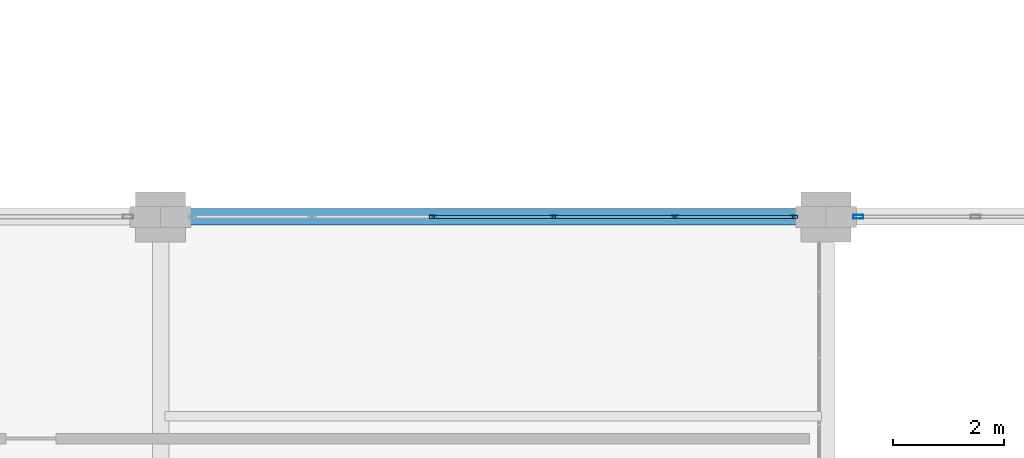
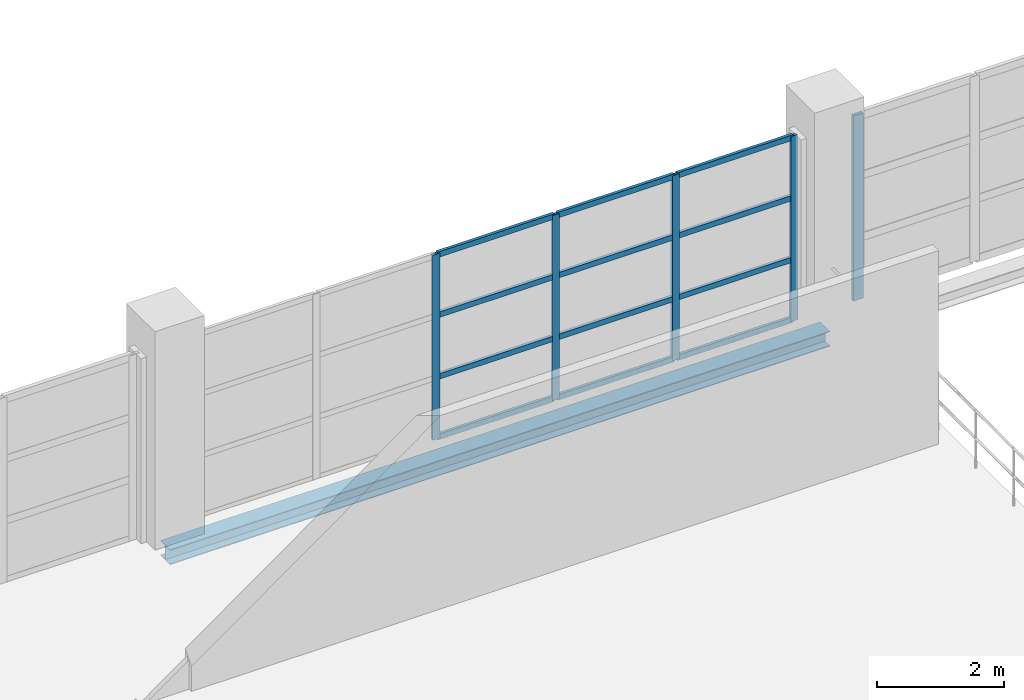
# One storey, part 51 of 158: 17 members, 1 beam, 2 elements without a shape of their own.
"""IFC4 building model written with IfcOpenShell, lengths in metres."""

from ifc_helpers import new_model, si_unit, direction, frame, origin, origin_2d, place, context, subcontext, project, spatial, hollow_rectangle, i_section, extrude, material, layer, layer_set, material_profile, profile_set, type_object, element, aggregate, save


model = new_model("IFC4")

# Units and contexts
model_context = context("Model", 3, precision=1e-05, world=origin(), true_north=direction((0.0, 1.0)))
body_context = subcontext(model_context, "Body", "Model", "MODEL_VIEW")
ifc_project = project(units=[si_unit("LENGTHUNIT", "METRE"), si_unit("AREAUNIT", "SQUARE_METRE"), si_unit("VOLUMEUNIT", "CUBIC_METRE"), si_unit("PLANEANGLEUNIT", "RADIAN"), si_unit("MASSUNIT", "GRAM", prefix="KILO")], contexts=[model_context])

# Site, building, storey
site_placement = place(None, origin())
site = spatial("IfcSite", under=ifc_project, at=site_placement, CompositionType="ELEMENT")
building_placement = place(site_placement, origin())
building = spatial("IfcBuilding", under=site, at=building_placement, Name="Zilviju Railside Exhibition Hall", CompositionType="ELEMENT")
storey_placement = place(building_placement, frame((0.0, 0.0, 4.199951171875)))
storey = spatial("IfcBuildingStorey", under=building, at=storey_placement, Name="L02", CompositionType="ELEMENT", Elevation=4.199951171875)

# Beam
ifc_material_1 = material(Name="Steel S355J2", Category="steel")
ifc_material_profile_1 = material_profile(ifc_material_1, i_section(OverallWidth=0.300048828125, OverallDepth=0.2900390625, WebThickness=0.008544921875, FlangeThickness=0.013916015625, at=origin_2d()), Name="HEA 300")
ifc_profile_set_1 = profile_set([ifc_material_profile_1], Name="Steel S355J2")
beam_type = type_object("IfcBeamType", Name="BM-HEA300", PredefinedType="SPANDREL", material=ifc_profile_set_1)
beam_placement = place(storey_placement, frame((108.0, 54.0, -0.474853515625), z_axis=(1.0, 0.0, 0.0), x_axis=(0.0, 1.0, 0.0)))
element("IfcBeam", 1, at=beam_placement, inside=storey, type_object=beam_type, Name="Primary Girder L02 Y=54.0 (108.0..120.0)", PredefinedType="SPANDREL", context=body_context, shape_type="SweptSolid", body=[
    extrude(i_section(OverallWidth=0.300048828125, OverallDepth=0.2900390625, WebThickness=0.008544921875, FlangeThickness=0.013916015625, at=origin_2d()), origin(), (0.0, 0.0, 1.0), 12.0),
])

# Curtain wall, members
ifc_material_2 = material(Name="Thermally broken aluminium-steel triple-glazed curtain wall", Category="steel")
ifc_layer_1 = layer(ifc_material_2, 0.179931640625)
ifc_layer_set_1 = layer_set([ifc_layer_1], Name="Thermally broken aluminium-steel triple-glazed curtain wall")
curtain_wall_type_1 = type_object("IfcCurtainWallType", Name="CW-BAY-18", PredefinedType="USERDEFINED", material=ifc_layer_set_1)
curtain_wall_1_placement = place(storey_placement, origin())
curtain_wall_1 = element("IfcCurtainWall", 2, at=curtain_wall_1_placement, inside=storey, type_object=curtain_wall_type_1, Name="South Hall Garden Court Curtain Wall L02 (108..120)", ObjectType="GLAZED CURTAIN WALL", PredefinedType="USERDEFINED")
ifc_material_3 = material(Name="Thermally broken anodized aluminium mullion", Category="aluminium")
ifc_material_profile_2 = material_profile(ifc_material_3, hollow_rectangle(XDim=0.054931640625, YDim=0.1298828125, WallThickness=0.0048828125, at=origin_2d()), Name="MULLION 130x55x5")
ifc_profile_set_2 = profile_set([ifc_material_profile_2], Name="Thermally broken anodized aluminium mullion")
member_type_1 = type_object("IfcMemberType", Name="CWM-55x130", PredefinedType="MULLION", material=ifc_profile_set_2)
member_1_placement = place(storey_placement, frame((112.909912109375, 54.0, 0.0), z_axis=(0.0, 0.0, 1.0), x_axis=(0.0, 1.0, 0.0)))
member_1 = element("IfcMember", 3, at=member_1_placement, type_object=member_type_1, Name="CW-18 mullion 3", PredefinedType="MULLION", context=body_context, shape_type="SweptSolid", body=[
    extrude(hollow_rectangle(XDim=0.054931640625, YDim=0.1298828125, WallThickness=0.0048828125, at=origin_2d()), origin(), (0.0, 0.0, 1.0), 3.56005859375),
])
member_2_placement = place(storey_placement, frame((115.090087890625, 54.0, 0.0), z_axis=(0.0, 0.0, 1.0), x_axis=(0.0, 1.0, 0.0)))
member_2 = element("IfcMember", 4, at=member_2_placement, type_object=member_type_1, Name="CW-18 mullion 4", PredefinedType="MULLION", context=body_context, shape_type="SweptSolid", body=[
    extrude(hollow_rectangle(XDim=0.054931640625, YDim=0.1298828125, WallThickness=0.0048828125, at=origin_2d()), origin(), (0.0, 0.0, 1.0), 3.56005859375),
])
member_3_placement = place(storey_placement, frame((117.27001953125, 54.0, 0.0), z_axis=(0.0, 0.0, 1.0), x_axis=(0.0, 1.0, 0.0)))
member_3 = element("IfcMember", 5, at=member_3_placement, type_object=member_type_1, Name="CW-18 mullion 5", PredefinedType="MULLION", context=body_context, shape_type="SweptSolid", body=[
    extrude(hollow_rectangle(XDim=0.054931640625, YDim=0.1298828125, WallThickness=0.0048828125, at=origin_2d()), origin(), (0.0, 0.0, 1.0), 3.56005859375),
])
member_4_placement = place(storey_placement, frame((119.422607421875, 54.0, 0.0), z_axis=(0.0, 0.0, 1.0), x_axis=(0.0, 1.0, 0.0)))
member_4 = element("IfcMember", 6, at=member_4_placement, type_object=member_type_1, Name="CW-18 mullion 6", PredefinedType="MULLION", context=body_context, shape_type="SweptSolid", body=[
    extrude(hollow_rectangle(XDim=0.054931640625, YDim=0.1298828125, WallThickness=0.0048828125, at=origin_2d()), origin(), (0.0, 0.0, 1.0), 3.56005859375),
])

# Curtain wall, member
ifc_layer_2 = layer(ifc_material_2, 0.179931640625)
ifc_layer_set_2 = layer_set([ifc_layer_2], Name="Thermally broken aluminium-steel triple-glazed curtain wall")
curtain_wall_type_2 = type_object("IfcCurtainWallType", Name="CW-BAY-19", PredefinedType="USERDEFINED", material=ifc_layer_set_2)
curtain_wall_2_placement = place(storey_placement, origin())
curtain_wall_2 = element("IfcCurtainWall", 7, at=curtain_wall_2_placement, inside=storey, type_object=curtain_wall_type_2, Name="South Hall Garden Court Curtain Wall L02 (120..125)", ObjectType="GLAZED CURTAIN WALL", PredefinedType="USERDEFINED")
ifc_material_profile_3 = material_profile(ifc_material_3, hollow_rectangle(XDim=0.070068359375, YDim=0.179931640625, WallThickness=0.0048828125, at=origin_2d()), Name="MULLION 180x70x5")
ifc_profile_set_3 = profile_set([ifc_material_profile_3], Name="Thermally broken anodized aluminium mullion")
member_type_2 = type_object("IfcMemberType", Name="CWM-70x180", PredefinedType="MULLION", material=ifc_profile_set_3)
member_5_placement = place(storey_placement, frame((120.5849609375, 54.0, 0.0), z_axis=(0.0, 0.0, 1.0), x_axis=(0.0, 1.0, 0.0)))
member_5 = element("IfcMember", 8, at=member_5_placement, type_object=member_type_2, Name="CW-19 mullion 1", PredefinedType="MULLION", context=body_context, shape_type="SweptSolid", body=[
    extrude(hollow_rectangle(XDim=0.070068359375, YDim=0.179931640625, WallThickness=0.0048828125, at=origin_2d()), origin(), (0.0, 0.0, 1.0), 3.56005859375),
])
aggregate(curtain_wall_2, [member_5])

# Member
ifc_material_4 = material(Name="Thermally broken anodized aluminium transom", Category="aluminium")
ifc_material_profile_4 = material_profile(ifc_material_4, hollow_rectangle(XDim=0.054931640625, YDim=0.10498046875, WallThickness=0.0048828125, at=origin_2d()), Name="TRANSOM 105x55x5")
ifc_profile_set_4 = profile_set([ifc_material_profile_4], Name="Thermally broken anodized aluminium transom")
member_type_3 = type_object("IfcMemberType", Name="CWT-55x105", PredefinedType="USERDEFINED", material=ifc_profile_set_4)
member_6_placement = place(storey_placement, frame((112.9375, 54.0, 0.027587890625), z_axis=(1.0, 0.0, 0.0), x_axis=(0.0, 1.0, 0.0)))
member_6 = element("IfcMember", 9, at=member_6_placement, type_object=member_type_3, Name="CW-18 transom 3.1", ObjectType="TRANSOM", PredefinedType="USERDEFINED", context=body_context, shape_type="SweptSolid", body=[
    extrude(hollow_rectangle(XDim=0.054931640625, YDim=0.10498046875, WallThickness=0.0048828125, at=origin_2d()), origin(), (0.0, 0.0, 1.0), 2.125),
])

member_7_placement = place(storey_placement, frame((112.9375, 54.0, 1.18701171875), z_axis=(1.0, 0.0, 0.0), x_axis=(0.0, 1.0, 0.0)))
member_7 = element("IfcMember", 10, at=member_7_placement, type_object=member_type_3, Name="CW-18 transom 3.2", ObjectType="TRANSOM", PredefinedType="USERDEFINED", context=body_context, shape_type="SweptSolid", body=[
    extrude(hollow_rectangle(XDim=0.054931640625, YDim=0.10498046875, WallThickness=0.0048828125, at=origin_2d()), origin(), (0.0, 0.0, 1.0), 2.125),
])

member_8_placement = place(storey_placement, frame((112.9375, 54.0, 2.373046875), z_axis=(1.0, 0.0, 0.0), x_axis=(0.0, 1.0, 0.0)))
member_8 = element("IfcMember", 11, at=member_8_placement, type_object=member_type_3, Name="CW-18 transom 3.3", ObjectType="TRANSOM", PredefinedType="USERDEFINED", context=body_context, shape_type="SweptSolid", body=[
    extrude(hollow_rectangle(XDim=0.054931640625, YDim=0.10498046875, WallThickness=0.0048828125, at=origin_2d()), origin(), (0.0, 0.0, 1.0), 2.125),
])

member_9_placement = place(storey_placement, frame((112.9375, 54.0, 3.532470703125), z_axis=(1.0, 0.0, 0.0), x_axis=(0.0, 1.0, 0.0)))
member_9 = element("IfcMember", 12, at=member_9_placement, type_object=member_type_3, Name="CW-18 transom 3.4", ObjectType="TRANSOM", PredefinedType="USERDEFINED", context=body_context, shape_type="SweptSolid", body=[
    extrude(hollow_rectangle(XDim=0.054931640625, YDim=0.10498046875, WallThickness=0.0048828125, at=origin_2d()), origin(), (0.0, 0.0, 1.0), 2.125),
])

member_10_placement = place(storey_placement, frame((115.117431640625, 54.0, 0.027587890625), z_axis=(1.0, 0.0, 0.0), x_axis=(0.0, 1.0, 0.0)))
member_10 = element("IfcMember", 13, at=member_10_placement, type_object=member_type_3, Name="CW-18 transom 4.1", ObjectType="TRANSOM", PredefinedType="USERDEFINED", context=body_context, shape_type="SweptSolid", body=[
    extrude(hollow_rectangle(XDim=0.054931640625, YDim=0.10498046875, WallThickness=0.0048828125, at=origin_2d()), origin(), (0.0, 0.0, 1.0), 2.125),
])

member_11_placement = place(storey_placement, frame((115.117431640625, 54.0, 1.18701171875), z_axis=(1.0, 0.0, 0.0), x_axis=(0.0, 1.0, 0.0)))
member_11 = element("IfcMember", 14, at=member_11_placement, type_object=member_type_3, Name="CW-18 transom 4.2", ObjectType="TRANSOM", PredefinedType="USERDEFINED", context=body_context, shape_type="SweptSolid", body=[
    extrude(hollow_rectangle(XDim=0.054931640625, YDim=0.10498046875, WallThickness=0.0048828125, at=origin_2d()), origin(), (0.0, 0.0, 1.0), 2.125),
])

member_12_placement = place(storey_placement, frame((115.117431640625, 54.0, 2.373046875), z_axis=(1.0, 0.0, 0.0), x_axis=(0.0, 1.0, 0.0)))
member_12 = element("IfcMember", 15, at=member_12_placement, type_object=member_type_3, Name="CW-18 transom 4.3", ObjectType="TRANSOM", PredefinedType="USERDEFINED", context=body_context, shape_type="SweptSolid", body=[
    extrude(hollow_rectangle(XDim=0.054931640625, YDim=0.10498046875, WallThickness=0.0048828125, at=origin_2d()), origin(), (0.0, 0.0, 1.0), 2.125),
])

member_13_placement = place(storey_placement, frame((115.117431640625, 54.0, 3.532470703125), z_axis=(1.0, 0.0, 0.0), x_axis=(0.0, 1.0, 0.0)))
member_13 = element("IfcMember", 16, at=member_13_placement, type_object=member_type_3, Name="CW-18 transom 4.4", ObjectType="TRANSOM", PredefinedType="USERDEFINED", context=body_context, shape_type="SweptSolid", body=[
    extrude(hollow_rectangle(XDim=0.054931640625, YDim=0.10498046875, WallThickness=0.0048828125, at=origin_2d()), origin(), (0.0, 0.0, 1.0), 2.125),
])

member_14_placement = place(storey_placement, frame((117.297607421875, 54.0, 0.027587890625), z_axis=(1.0, 0.0, 0.0), x_axis=(0.0, 1.0, 0.0)))
member_14 = element("IfcMember", 17, at=member_14_placement, type_object=member_type_3, Name="CW-18 transom 5.1", ObjectType="TRANSOM", PredefinedType="USERDEFINED", context=body_context, shape_type="SweptSolid", body=[
    extrude(hollow_rectangle(XDim=0.054931640625, YDim=0.10498046875, WallThickness=0.0048828125, at=origin_2d()), origin(), (0.0, 0.0, 1.0), 2.097412109375),
])

member_15_placement = place(storey_placement, frame((117.297607421875, 54.0, 1.18701171875), z_axis=(1.0, 0.0, 0.0), x_axis=(0.0, 1.0, 0.0)))
member_15 = element("IfcMember", 18, at=member_15_placement, type_object=member_type_3, Name="CW-18 transom 5.2", ObjectType="TRANSOM", PredefinedType="USERDEFINED", context=body_context, shape_type="SweptSolid", body=[
    extrude(hollow_rectangle(XDim=0.054931640625, YDim=0.10498046875, WallThickness=0.0048828125, at=origin_2d()), origin(), (0.0, 0.0, 1.0), 2.097412109375),
])

member_16_placement = place(storey_placement, frame((117.297607421875, 54.0, 2.373046875), z_axis=(1.0, 0.0, 0.0), x_axis=(0.0, 1.0, 0.0)))
member_16 = element("IfcMember", 19, at=member_16_placement, type_object=member_type_3, Name="CW-18 transom 5.3", ObjectType="TRANSOM", PredefinedType="USERDEFINED", context=body_context, shape_type="SweptSolid", body=[
    extrude(hollow_rectangle(XDim=0.054931640625, YDim=0.10498046875, WallThickness=0.0048828125, at=origin_2d()), origin(), (0.0, 0.0, 1.0), 2.097412109375),
])

member_17_placement = place(storey_placement, frame((117.297607421875, 54.0, 3.532470703125), z_axis=(1.0, 0.0, 0.0), x_axis=(0.0, 1.0, 0.0)))
member_17 = element("IfcMember", 20, at=member_17_placement, type_object=member_type_3, Name="CW-18 transom 5.4", ObjectType="TRANSOM", PredefinedType="USERDEFINED", context=body_context, shape_type="SweptSolid", body=[
    extrude(hollow_rectangle(XDim=0.054931640625, YDim=0.10498046875, WallThickness=0.0048828125, at=origin_2d()), origin(), (0.0, 0.0, 1.0), 2.097412109375),
])

aggregate(curtain_wall_1, [member_1, member_2, member_3, member_4, member_6, member_7, member_8, member_9, member_10, member_11, member_12, member_13, member_14, member_15, member_16, member_17])

save(model, "model.ifc")
